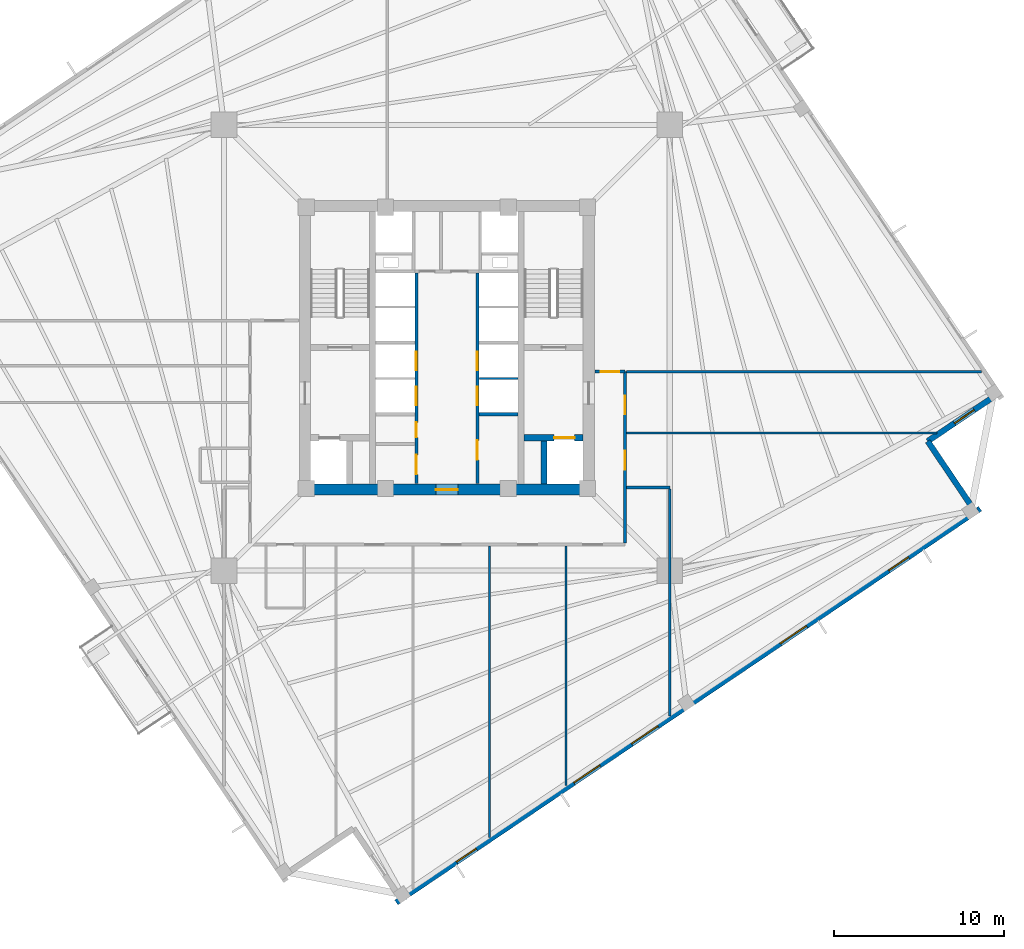
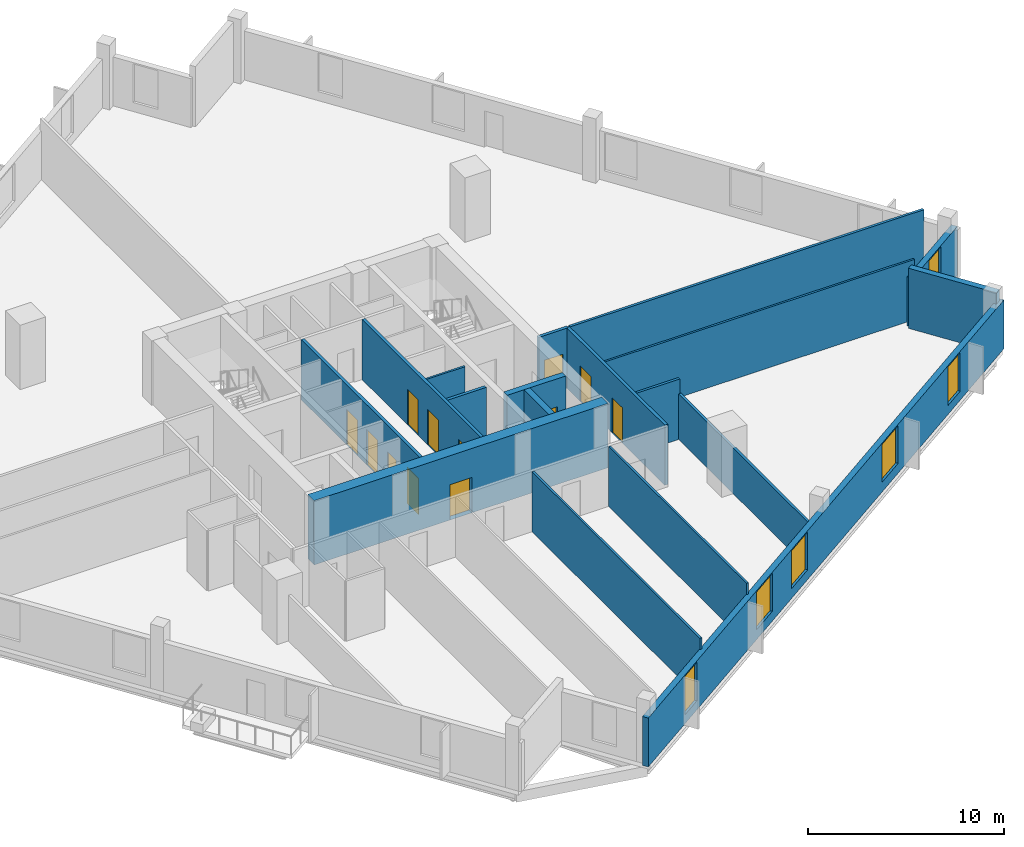
# One storey, part 4 of 9: 18 walls, 12 doors, 6 windows, 18 openings.
"""IFC4 building model written with IfcOpenShell, lengths in metres."""

from ifc_helpers import new_model, si_unit, direction, frame, frame_2d, origin, place, context, subcontext, project, spatial, rectangle, extrude, source, transform, mapped, material, layer, layer_set, type_object, element, fill, save


model = new_model("IFC4")

# Units and contexts
model_context = context("Model", 3, precision=1e-05, world=origin(), true_north=direction((0.0, 1.0)))
body_context = subcontext(model_context, "Body", "Model", "MODEL_VIEW")
ifc_project = project(units=[si_unit("LENGTHUNIT", "METRE"), si_unit("AREAUNIT", "SQUARE_METRE"), si_unit("VOLUMEUNIT", "CUBIC_METRE"), si_unit("PLANEANGLEUNIT", "RADIAN"), si_unit("MASSUNIT", "GRAM", prefix="KILO"), si_unit("THERMODYNAMICTEMPERATUREUNIT", "KELVIN")], contexts=[model_context])

# Site, building, storey
site_placement = place(None, origin())
site = spatial("IfcSite", under=ifc_project, at=site_placement, CompositionType="ELEMENT")
building_placement = place(site_placement, origin())
building = spatial("IfcBuilding", under=site, at=building_placement, Name="Kosmvard Interchange Tower", CompositionType="ELEMENT")
storey_placement = place(building_placement, frame((0.0, 0.0, 156.39990234375)))
storey = spatial("IfcBuildingStorey", under=building, at=storey_placement, Name="L37", CompositionType="ELEMENT", Elevation=156.39990234375)

# Walls
ifc_material_1 = material(Name="Acoustic gypsum partition system")
ifc_layer_1 = layer(ifc_material_1, 0.14990234375, Name="Acoustic gypsum partition system")
ifc_layer_set_1 = layer_set([ifc_layer_1], Name="Acoustic gypsum partition system")
wall_type_1 = type_object("IfcWallType", Name="Acoustic Suite & Meeting Partition 150", PredefinedType="PARTITIONING", material=ifc_layer_set_1)
wall_1_placement = place(storey_placement, frame((10.544921875, -1.39990234375, 0.0), z_axis=(0.0, 0.0, 1.0), x_axis=(1.0, 0.0, 0.0)))
element("IfcWall", 1, at=wall_1_placement, inside=storey, type_object=wall_type_1, Name="L37 Room Partition 04.1", PredefinedType="PARTITIONING", context=body_context, shape_type="SweptSolid", body=[
    extrude(rectangle(XDim=20.826171875, YDim=0.14990234375, at=frame_2d((10.4130859375, 0.0))), origin(), (0.0, 0.0, 1.0), 3.739990234375),
])
wall_2_placement = place(storey_placement, frame((10.544921875, -8.199951171875, 0.0), z_axis=(0.0, 0.0, 1.0), x_axis=(1.0, 0.0, 0.0)))
element("IfcWall", 2, at=wall_2_placement, inside=storey, type_object=wall_type_1, Name="L37 Room Partition 12.1", PredefinedType="PARTITIONING", context=body_context, shape_type="SweptSolid", body=[
    extrude(rectangle(XDim=2.5361328125, YDim=0.14990234375, at=frame_2d((1.26806640625, 0.0))), origin(), (0.0, 0.0, 1.0), 3.739990234375),
])
wall_3_placement = place(storey_placement, frame((13.0810546875, -8.27490234375, 0.0), z_axis=(0.0, 0.0, 1.0), x_axis=(0.0, -1.0, 0.0)))
element("IfcWall", 3, at=wall_3_placement, inside=storey, type_object=wall_type_1, Name="L37 Room Partition 13.1", PredefinedType="PARTITIONING", context=body_context, shape_type="SweptSolid", body=[
    extrude(rectangle(XDim=13.32861328125, YDim=0.14990234375, at=frame_2d((6.664306640625, 0.0))), origin(), (0.0, 0.0, 1.0), 2.840087890625),
])

# Wall, openings, doors
ifc_material_2 = material(Name="Fire-rated gypsum partition system")
ifc_layer_2 = layer(ifc_material_2, 0.179931640625, Name="Fire-rated gypsum partition system")
ifc_layer_set_2 = layer_set([ifc_layer_2], Name="Fire-rated gypsum partition system")
wall_type_2 = type_object("IfcWallType", Name="Corridor & Hotel Compartment Partition 180", PredefinedType="PARTITIONING", material=ifc_layer_set_2)
wall_4_placement = place(storey_placement, frame((-1.7900390625, -7.97998046875, 0.0), z_axis=(0.0, 0.0, 1.0), x_axis=(0.0, 1.0, 0.0)))
wall_4 = element("IfcWall", 4, at=wall_4_placement, inside=storey, type_object=wall_type_2, Name="L37 West Lift Bank Front Wall", PredefinedType="PARTITIONING", context=body_context, shape_type="SweptSolid", body=[
    extrude(rectangle(XDim=12.3798828125, YDim=0.179931640625, at=frame_2d((6.18994140625, 0.0))), origin(), (0.0, 0.0, 1.0), 3.739990234375),
])
opening_1_placement = place(wall_4_placement, frame((4.60009765625, 0.0, 0.0)))
opening_1 = element("IfcOpeningElement", 5, at=opening_1_placement, cuts=wall_4, Name="Opening LD-PL-M1-L37", PredefinedType="OPENING", context=body_context, shape_type="SweptSolid", body=[
    extrude(rectangle(XDim=1.10009765625, YDim=2.199951171875, at=frame_2d((0.550048828125, 1.10009765625))), frame((0.0, 0.10009765625, 0.0), z_axis=(0.0, -1.0, 0.0), x_axis=(1.0, 0.0, 0.0)), (0.0, 0.0, 1.0), 0.199951171875),
])
opening_2_placement = place(wall_4_placement, frame((6.659912109375, 0.0, 0.0)))
opening_2 = element("IfcOpeningElement", 6, at=opening_2_placement, cuts=wall_4, Name="Opening LD-PL-M2-L37", PredefinedType="OPENING", context=body_context, shape_type="SweptSolid", body=[
    extrude(rectangle(XDim=1.10009765625, YDim=2.199951171875, at=frame_2d((0.550048828125, 1.10009765625))), frame((0.0, 0.10009765625, 0.0), z_axis=(0.0, -1.0, 0.0), x_axis=(1.0, 0.0, 0.0)), (0.0, 0.0, 1.0), 0.199951171875),
])
opening_3_placement = place(wall_4_placement, frame((0.550048828125, 0.0, 0.0)))
opening_3 = element("IfcOpeningElement", 7, at=opening_3_placement, cuts=wall_4, Name="Opening L37-CD1", PredefinedType="OPENING", context=body_context, shape_type="SweptSolid", body=[
    extrude(rectangle(XDim=1.14990234375, YDim=2.25, at=frame_2d((0.574951171875, 1.125))), frame((0.0, 0.10009765625, 0.0), z_axis=(0.0, -1.0, 0.0), x_axis=(1.0, 0.0, 0.0)), (0.0, 0.0, 1.0), 0.199951171875),
])
opening_4_placement = place(wall_4_placement, frame((2.719970703125, 0.0, 0.0)))
opening_4 = element("IfcOpeningElement", 8, at=opening_4_placement, cuts=wall_4, Name="Opening L37-CD2", PredefinedType="OPENING", context=body_context, shape_type="SweptSolid", body=[
    extrude(rectangle(XDim=0.8798828125, YDim=2.10009765625, at=frame_2d((0.43994140625, 1.050048828125))), frame((0.0, 0.10009765625, 0.0), z_axis=(0.0, -1.0, 0.0), x_axis=(1.0, 0.0, 0.0)), (0.0, 0.0, 1.0), 0.199951171875),
])
ifc_material_3 = material(Name="Painted fire-rated steel leaf", Category="steel")
door_type_1 = type_object("IfcDoorType", Name="Plant & Riser Fire Door 1150x2250 EI60", OperationType="NOTDEFINED", PredefinedType="DOOR", material=ifc_material_3)
shared_shape_1 = source(origin(), body_context, "Body", "SweptSolid", [
    extrude(rectangle(XDim=1.14990234375, YDim=2.25, at=frame_2d((0.574951171875, 1.125))), frame((0.0, 0.02490234375, 0.0), z_axis=(0.0, -1.0, 0.0), x_axis=(1.0, 0.0, 0.0)), (0.0, 0.0, 1.0), 0.050048828125),
])
door_1_placement = place(opening_3_placement, origin())
door_1 = element("IfcDoor", 9, at=door_1_placement, inside=storey, type_object=door_type_1, Name="L37 Core Archive Door", OperationType="SINGLE_SWING_LEFT", OverallHeight=2.25, OverallWidth=1.14990234375, PredefinedType="DOOR", context=body_context, shape_type="MappedRepresentation", body=[
    mapped(shared_shape_1, transform((0.0, 0.0, 0.0), scale=1.0)),
])
fill(opening_3, door_1)
ifc_material_4 = material(Name="Brushed stainless steel sliding leaf", Category="steel")
door_type_2 = type_object("IfcDoorType", Name="Passenger Lift Sliding Landing Door 1100x2200 EI60", OperationType="DOUBLE_DOOR_SLIDING", PredefinedType="DOOR", material=ifc_material_4)
shared_shape_2 = source(origin(), body_context, "Body", "SweptSolid", [
    extrude(rectangle(XDim=1.10009765625, YDim=2.199951171875, at=frame_2d((0.550048828125, 1.10009765625))), frame((0.0, 0.02490234375, 0.0), z_axis=(0.0, -1.0, 0.0), x_axis=(1.0, 0.0, 0.0)), (0.0, 0.0, 1.0), 0.050048828125),
])
door_2_placement = place(opening_1_placement, frame((1.10009765625, 0.0, 0.0), z_axis=(0.0, 0.0, 1.0), x_axis=(-1.0, 0.0, 0.0)))
door_2 = element("IfcDoor", 10, at=door_2_placement, inside=storey, type_object=door_type_2, Name="Lift PL-M1 Landing Door L37", OperationType="DOUBLE_DOOR_SLIDING", OverallHeight=2.199951171875, OverallWidth=1.10009765625, PredefinedType="DOOR", context=body_context, shape_type="MappedRepresentation", body=[
    mapped(shared_shape_2, transform((0.0, 0.0, 0.0), scale=1.0)),
])
fill(opening_1, door_2)
door_3_placement = place(opening_2_placement, frame((1.10009765625, 0.0, 0.0), z_axis=(0.0, 0.0, 1.0), x_axis=(-1.0, 0.0, 0.0)))
door_3 = element("IfcDoor", 11, at=door_3_placement, inside=storey, type_object=door_type_2, Name="Lift PL-M2 Landing Door L37", OperationType="DOUBLE_DOOR_SLIDING", OverallHeight=2.199951171875, OverallWidth=1.10009765625, PredefinedType="DOOR", context=body_context, shape_type="MappedRepresentation", body=[
    mapped(shared_shape_2, transform((0.0, 0.0, 0.0), scale=1.0)),
])
fill(opening_2, door_3)
ifc_material_5 = material(Name="Painted fire-rated timber leaf", Category="wood")
door_type_3 = type_object("IfcDoorType", Name="Core Cupboard Fire Door 880x2100 EI30", OperationType="NOTDEFINED", PredefinedType="DOOR", material=ifc_material_5)
shared_shape_3 = source(origin(), body_context, "Body", "SweptSolid", [
    extrude(rectangle(XDim=0.8798828125, YDim=2.10009765625, at=frame_2d((0.43994140625, 1.050048828125))), frame((0.0, 0.02490234375, 0.0), z_axis=(0.0, -1.0, 0.0), x_axis=(1.0, 0.0, 0.0)), (0.0, 0.0, 1.0), 0.050048828125),
])
door_4_placement = place(opening_4_placement, origin())
door_4 = element("IfcDoor", 12, at=door_4_placement, inside=storey, type_object=door_type_3, Name="L37 Core Supplies Door", OperationType="SINGLE_SWING_RIGHT", OverallHeight=2.10009765625, OverallWidth=0.8798828125, PredefinedType="DOOR", context=body_context, shape_type="MappedRepresentation", body=[
    mapped(shared_shape_3, transform((0.0, 0.0, 0.0), scale=1.0)),
])
fill(opening_4, door_4)

wall_5_placement = place(storey_placement, frame((1.7900390625, -7.97998046875, 0.0), z_axis=(0.0, 0.0, 1.0), x_axis=(0.0, 1.0, 0.0)))
wall_5 = element("IfcWall", 13, at=wall_5_placement, inside=storey, type_object=wall_type_2, Name="L37 East Lift Bank Front Wall", PredefinedType="PARTITIONING", context=body_context, shape_type="SweptSolid", body=[
    extrude(rectangle(XDim=12.3798828125, YDim=0.179931640625, at=frame_2d((6.18994140625, 0.0))), origin(), (0.0, 0.0, 1.0), 3.739990234375),
])
opening_5_placement = place(wall_5_placement, frame((4.60009765625, 0.0, 0.0)))
opening_5 = element("IfcOpeningElement", 14, at=opening_5_placement, cuts=wall_5, Name="Opening LD-PL-M3-L37", PredefinedType="OPENING", context=body_context, shape_type="SweptSolid", body=[
    extrude(rectangle(XDim=1.10009765625, YDim=2.199951171875, at=frame_2d((0.550048828125, 1.10009765625))), frame((0.0, 0.10009765625, 0.0), z_axis=(0.0, -1.0, 0.0), x_axis=(1.0, 0.0, 0.0)), (0.0, 0.0, 1.0), 0.199951171875),
])
opening_6_placement = place(wall_5_placement, frame((6.659912109375, 0.0, 0.0)))
opening_6 = element("IfcOpeningElement", 15, at=opening_6_placement, cuts=wall_5, Name="Opening LD-PL-M4-L37", PredefinedType="OPENING", context=body_context, shape_type="SweptSolid", body=[
    extrude(rectangle(XDim=1.10009765625, YDim=2.199951171875, at=frame_2d((0.550048828125, 1.10009765625))), frame((0.0, 0.10009765625, 0.0), z_axis=(0.0, -1.0, 0.0), x_axis=(1.0, 0.0, 0.0)), (0.0, 0.0, 1.0), 0.199951171875),
])
opening_7_placement = place(wall_5_placement, frame((1.39990234375, 0.0, 0.0)))
opening_7 = element("IfcOpeningElement", 16, at=opening_7_placement, cuts=wall_5, Name="Opening L37-CD3", PredefinedType="OPENING", context=body_context, shape_type="SweptSolid", body=[
    extrude(rectangle(XDim=1.14990234375, YDim=2.25, at=frame_2d((0.574951171875, 1.125))), frame((0.0, 0.10009765625, 0.0), z_axis=(0.0, -1.0, 0.0), x_axis=(1.0, 0.0, 0.0)), (0.0, 0.0, 1.0), 0.199951171875),
])
door_5_placement = place(opening_7_placement, frame((1.14990234375, 0.0, 0.0), z_axis=(0.0, 0.0, 1.0), x_axis=(-1.0, 0.0, 0.0)))
door_5 = element("IfcDoor", 17, at=door_5_placement, inside=storey, type_object=door_type_1, Name="L37 Core Telecoms Door", OperationType="SINGLE_SWING_RIGHT", OverallHeight=2.25, OverallWidth=1.14990234375, PredefinedType="DOOR", context=body_context, shape_type="MappedRepresentation", body=[
    mapped(shared_shape_1, transform((0.0, 0.0, 0.0), scale=1.0)),
])
fill(opening_7, door_5)
door_6_placement = place(opening_5_placement, origin())
door_6 = element("IfcDoor", 18, at=door_6_placement, inside=storey, type_object=door_type_2, Name="Lift PL-M3 Landing Door L37", OperationType="DOUBLE_DOOR_SLIDING", OverallHeight=2.199951171875, OverallWidth=1.10009765625, PredefinedType="DOOR", context=body_context, shape_type="MappedRepresentation", body=[
    mapped(shared_shape_2, transform((0.0, 0.0, 0.0), scale=1.0)),
])
fill(opening_5, door_6)
door_7_placement = place(opening_6_placement, origin())
door_7 = element("IfcDoor", 19, at=door_7_placement, inside=storey, type_object=door_type_2, Name="Lift PL-M4 Landing Door L37", OperationType="DOUBLE_DOOR_SLIDING", OverallHeight=2.199951171875, OverallWidth=1.10009765625, PredefinedType="DOOR", context=body_context, shape_type="MappedRepresentation", body=[
    mapped(shared_shape_2, transform((0.0, 0.0, 0.0), scale=1.0)),
])
fill(opening_6, door_7)

wall_6_placement = place(storey_placement, frame((10.449951171875, -11.449951171875, 0.0), z_axis=(0.0, 0.0, 1.0), x_axis=(0.0, 1.0, 0.0)))
wall_6 = element("IfcWall", 20, at=wall_6_placement, inside=storey, type_object=wall_type_2, Name="L37 Corridor Wall CE", PredefinedType="PARTITIONING", context=body_context, shape_type="SweptSolid", body=[
    extrude(rectangle(XDim=10.050048828125, YDim=0.179931640625, at=frame_2d((5.02490234375, 0.0))), origin(), (0.0, 0.0, 1.0), 3.739990234375),
])
opening_8_placement = place(wall_6_placement, frame((4.300048828125, 0.0, 0.0)))
opening_8 = element("IfcOpeningElement", 21, at=opening_8_placement, cuts=wall_6, Name="Opening L37-D13", PredefinedType="OPENING", context=body_context, shape_type="SweptSolid", body=[
    extrude(rectangle(XDim=1.10009765625, YDim=2.199951171875, at=frame_2d((0.550048828125, 1.10009765625))), frame((0.0, 0.10009765625, 0.0), z_axis=(0.0, -1.0, 0.0), x_axis=(1.0, 0.0, 0.0)), (0.0, 0.0, 1.0), 0.199951171875),
])
opening_9_placement = place(wall_6_placement, frame((7.53564453125, 0.0, 0.0)))
opening_9 = element("IfcOpeningElement", 22, at=opening_9_placement, cuts=wall_6, Name="Opening L37-D14", PredefinedType="OPENING", context=body_context, shape_type="SweptSolid", body=[
    extrude(rectangle(XDim=1.10009765625, YDim=2.199951171875, at=frame_2d((0.550048828125, 1.10009765625))), frame((0.0, 0.10009765625, 0.0), z_axis=(0.0, -1.0, 0.0), x_axis=(1.0, 0.0, 0.0)), (0.0, 0.0, 1.0), 0.199951171875),
])
ifc_material_6 = material(Name="Engineered oak fire-rated timber", Category="wood")
door_type_4 = type_object("IfcDoorType", Name="Office Suite Entrance Door 1100x2200 FD30S", OperationType="NOTDEFINED", PredefinedType="DOOR", material=ifc_material_6)
door_8_placement = place(opening_8_placement, frame((1.10009765625, 0.0, 0.0), z_axis=(0.0, 0.0, 1.0), x_axis=(-1.0, 0.0, 0.0)))
door_8 = element("IfcDoor", 23, at=door_8_placement, inside=storey, type_object=door_type_4, Name="L37 Staff Tea Pantry Door", OperationType="SINGLE_SWING_LEFT", OverallHeight=2.199951171875, OverallWidth=1.10009765625, PredefinedType="DOOR", context=body_context, shape_type="MappedRepresentation", body=[
    mapped(shared_shape_2, transform((0.0, 0.0, 0.0), scale=1.0)),
])
fill(opening_8, door_8)
door_9_placement = place(opening_9_placement, frame((1.10009765625, 0.0, 0.0), z_axis=(0.0, 0.0, 1.0), x_axis=(-1.0, 0.0, 0.0)))
door_9 = element("IfcDoor", 24, at=door_9_placement, inside=storey, type_object=door_type_4, Name="L37 East Systems Office 7 Door", OperationType="SINGLE_SWING_RIGHT", OverallHeight=2.199951171875, OverallWidth=1.10009765625, PredefinedType="DOOR", context=body_context, shape_type="MappedRepresentation", body=[
    mapped(shared_shape_2, transform((0.0, 0.0, 0.0), scale=1.0)),
])
fill(opening_9, door_9)

# Wall, opening, door
wall_7_placement = place(storey_placement, frame((8.699951171875, -1.39990234375, 0.0), z_axis=(0.0, 0.0, 1.0), x_axis=(1.0, 0.0, 0.0)))
wall_7 = element("IfcWall", 25, at=wall_7_placement, inside=storey, type_object=wall_type_2, Name="L37 Corridor Wall CNE", PredefinedType="PARTITIONING", context=body_context, shape_type="SweptSolid", body=[
    extrude(rectangle(XDim=1.75, YDim=0.179931640625, at=frame_2d((0.875, 0.0))), origin(), (0.0, 0.0, 1.0), 3.739990234375),
])
opening_10_placement = place(wall_7_placement, frame((0.324951171875, 0.0, 0.0)))
opening_10 = element("IfcOpeningElement", 26, at=opening_10_placement, cuts=wall_7, Name="Opening L37-D05", PredefinedType="OPENING", context=body_context, shape_type="SweptSolid", body=[
    extrude(rectangle(XDim=1.10009765625, YDim=2.199951171875, at=frame_2d((0.550048828125, 1.10009765625))), frame((0.0, 0.10009765625, 0.0), z_axis=(0.0, -1.0, 0.0), x_axis=(1.0, 0.0, 0.0)), (0.0, 0.0, 1.0), 0.199951171875),
])
door_10_placement = place(opening_10_placement, origin())
door_10 = element("IfcDoor", 27, at=door_10_placement, inside=storey, type_object=door_type_4, Name="L37 Digital Engineering Library Door", OperationType="SINGLE_SWING_LEFT", OverallHeight=2.199951171875, OverallWidth=1.10009765625, PredefinedType="DOOR", context=body_context, shape_type="MappedRepresentation", body=[
    mapped(shared_shape_2, transform((0.0, 0.0, 0.0), scale=1.0)),
])
fill(opening_10, door_10)

ifc_material_7 = material(Name="Concrete C70/85", Category="concrete")
ifc_layer_3 = layer(ifc_material_7, 0.64990234375, Name="Concrete C70/85")
ifc_layer_set_3 = layer_set([ifc_layer_3], Name="Concrete C70/85")
wall_type_3 = type_object("IfcWallType", Name="Mid Core Shear Wall 650 C70/85", PredefinedType="SHEAR", material=ifc_layer_set_3)
wall_8_placement = place(storey_placement, frame((-8.64990234375, -8.324951171875, 0.0), z_axis=(0.0, 0.0, 1.0), x_axis=(1.0, 0.0, 0.0)))
wall_8 = element("IfcWall", 28, at=wall_8_placement, inside=storey, type_object=wall_type_3, Name="L37 Core Shear Wall CW-S", PredefinedType="SHEAR", context=body_context, shape_type="SweptSolid", body=[
    extrude(rectangle(XDim=17.2998046875, YDim=0.64990234375, at=frame_2d((8.64990234375, 0.0))), origin(), (0.0, 0.0, 1.0), 4.0),
])
opening_11_placement = place(wall_8_placement, frame((8.0, 0.0, 0.0)))
opening_11 = element("IfcOpeningElement", 29, at=opening_11_placement, cuts=wall_8, Name="Opening L37-LD0", PredefinedType="OPENING", context=body_context, shape_type="SweptSolid", body=[
    extrude(rectangle(XDim=1.300048828125, YDim=2.199951171875, at=frame_2d((0.64990234375, 1.10009765625))), frame((0.0, 0.3349609375, 0.0), z_axis=(0.0, -1.0, 0.0), x_axis=(1.0, 0.0, 0.0)), (0.0, 0.0, 1.0), 0.669921875),
])
door_type_5 = type_object("IfcDoorType", Name="Firefighting Lobby Door 1300x2200 EI60", OperationType="NOTDEFINED", PredefinedType="DOOR", material=ifc_material_3)
shared_shape_4 = source(origin(), body_context, "Body", "SweptSolid", [
    extrude(rectangle(XDim=1.300048828125, YDim=2.199951171875, at=frame_2d((0.64990234375, 1.10009765625))), frame((0.0, 0.02490234375, 0.0), z_axis=(0.0, -1.0, 0.0), x_axis=(1.0, 0.0, 0.0)), (0.0, 0.0, 1.0), 0.050048828125),
])
door_11_placement = place(opening_11_placement, frame((1.300048828125, 0.0, 0.0), z_axis=(0.0, 0.0, 1.0), x_axis=(-1.0, 0.0, 0.0)))
door_11 = element("IfcDoor", 30, at=door_11_placement, inside=storey, type_object=door_type_5, Name="L37 Passenger Lift Lobby South Door", OperationType="SINGLE_SWING_LEFT", OverallHeight=2.199951171875, OverallWidth=1.300048828125, PredefinedType="DOOR", context=body_context, shape_type="MappedRepresentation", body=[
    mapped(shared_shape_4, transform((0.0, 0.0, 0.0), scale=1.0)),
])
fill(opening_11, door_11)

# Wall, openings, windows
ifc_material_8 = material(Name="Precast concrete C45/55", Category="concrete")
ifc_layer_4 = layer(ifc_material_8, 0.340087890625, Name="Precast concrete C45/55")
ifc_layer_set_4 = layer_set([ifc_layer_4], Name="Precast concrete C45/55")
wall_type_4 = type_object("IfcWallType", Name="Mid Tower Precast Pier Wall 340 C45/55", PredefinedType="STANDARD", material=ifc_layer_set_4)
wall_9_placement = place(storey_placement, frame((-2.971923828125, -32.55810546875, 0.0), z_axis=(0.0, 0.0, 1.0), x_axis=(0.829036218961, 0.559194910251, 0.0)))
wall_9 = element("IfcWall", 31, at=wall_9_placement, inside=storey, type_object=wall_type_4, Name="L37 Precast Facade Wall F-S", PredefinedType="STANDARD", context=body_context, shape_type="SweptSolid", body=[
    extrude(rectangle(XDim=41.340087890625, YDim=0.340087890625, at=frame_2d((20.669921875, 0.0))), origin(), (0.0, 0.0, 1.0), 3.0400390625),
])
opening_12_placement = place(wall_9_placement, frame((4.2607421875, 0.0, 0.56005859375)))
opening_12 = element("IfcOpeningElement", 32, at=opening_12_placement, cuts=wall_9, Name="Opening L37-W01", PredefinedType="OPENING", context=body_context, shape_type="SweptSolid", body=[
    extrude(rectangle(XDim=1.39990234375, YDim=2.39990234375, at=frame_2d((0.699951171875, 1.199951171875))), frame((0.0, 0.18017578125, 0.0), z_axis=(0.0, -1.0, 0.0), x_axis=(1.0, 0.0, 0.0)), (0.0, 0.0, 1.0), 0.360107421875),
])
opening_13_placement = place(wall_9_placement, frame((12.563720703125, 0.0, 0.610107421875)))
opening_13 = element("IfcOpeningElement", 33, at=opening_13_placement, cuts=wall_9, Name="Opening L37-W02", PredefinedType="OPENING", context=body_context, shape_type="SweptSolid", body=[
    extrude(rectangle(XDim=1.85009765625, YDim=2.35009765625, at=frame_2d((0.925048828125, 1.175048828125))), frame((0.0, 0.18017578125, 0.0), z_axis=(0.0, -1.0, 0.0), x_axis=(1.0, 0.0, 0.0)), (0.0, 0.0, 1.0), 0.360107421875),
])
opening_14_placement = place(wall_9_placement, frame((16.668212890625, 0.0, 0.610107421875)))
opening_14 = element("IfcOpeningElement", 34, at=opening_14_placement, cuts=wall_9, Name="Opening L37-W03", PredefinedType="OPENING", context=body_context, shape_type="SweptSolid", body=[
    extrude(rectangle(XDim=1.85009765625, YDim=2.35009765625, at=frame_2d((0.925048828125, 1.175048828125))), frame((0.0, 0.18017578125, 0.0), z_axis=(0.0, -1.0, 0.0), x_axis=(1.0, 0.0, 0.0)), (0.0, 0.0, 1.0), 0.360107421875),
])
opening_15_placement = place(wall_9_placement, frame((27.186279296875, 0.0, 0.610107421875)))
opening_15 = element("IfcOpeningElement", 35, at=opening_15_placement, cuts=wall_9, Name="Opening L37-W04", PredefinedType="OPENING", context=body_context, shape_type="SweptSolid", body=[
    extrude(rectangle(XDim=1.85009765625, YDim=2.35009765625, at=frame_2d((0.925048828125, 1.175048828125))), frame((0.0, 0.18017578125, 0.0), z_axis=(0.0, -1.0, 0.0), x_axis=(1.0, 0.0, 0.0)), (0.0, 0.0, 1.0), 0.360107421875),
])
opening_16_placement = place(wall_9_placement, frame((34.852294921875, 0.0, 0.56005859375)))
opening_16 = element("IfcOpeningElement", 36, at=opening_16_placement, cuts=wall_9, Name="Opening L37-W05", PredefinedType="OPENING", context=body_context, shape_type="SweptSolid", body=[
    extrude(rectangle(XDim=1.39990234375, YDim=2.39990234375, at=frame_2d((0.699951171875, 1.199951171875))), frame((0.0, 0.18017578125, 0.0), z_axis=(0.0, -1.0, 0.0), x_axis=(1.0, 0.0, 0.0)), (0.0, 0.0, 1.0), 0.360107421875),
])
ifc_material_9 = material(Name="Low-E solar-control double glazing", Category="glass")
window_type_1 = type_object("IfcWindowType", Name="Notched Corner Feature Window 1400x2400", PartitioningType="SINGLE_PANEL", PredefinedType="WINDOW", material=ifc_material_9)
shared_shape_5 = source(origin(), body_context, "Body", "SweptSolid", [
    extrude(rectangle(XDim=1.39990234375, YDim=2.39990234375, at=frame_2d((0.699951171875, 1.199951171875))), frame((0.0, 0.030029296875, 0.0), z_axis=(0.0, -1.0, 0.0), x_axis=(1.0, 0.0, 0.0)), (0.0, 0.0, 1.0), 0.06005859375),
])
window_1_placement = place(opening_12_placement, origin())
window_1 = element("IfcWindow", 37, at=window_1_placement, inside=storey, type_object=window_type_1, Name="L37 Facade Punched Window 01", OverallHeight=2.39990234375, OverallWidth=1.39990234375, PartitioningType="SINGLE_PANEL", PredefinedType="WINDOW", context=body_context, shape_type="MappedRepresentation", body=[
    mapped(shared_shape_5, transform((0.0, 0.0, 0.0), scale=1.0)),
])
fill(opening_12, window_1)
window_2_placement = place(opening_16_placement, origin())
window_2 = element("IfcWindow", 38, at=window_2_placement, inside=storey, type_object=window_type_1, Name="L37 Facade Punched Window 05", OverallHeight=2.39990234375, OverallWidth=1.39990234375, PartitioningType="SINGLE_PANEL", PredefinedType="WINDOW", context=body_context, shape_type="MappedRepresentation", body=[
    mapped(shared_shape_5, transform((0.0, 0.0, 0.0), scale=1.0)),
])
fill(opening_16, window_2)
window_type_2 = type_object("IfcWindowType", Name="Zone 3 Office Punched Window 1850x2350", PartitioningType="SINGLE_PANEL", PredefinedType="WINDOW", material=ifc_material_9)
shared_shape_6 = source(origin(), body_context, "Body", "SweptSolid", [
    extrude(rectangle(XDim=1.85009765625, YDim=2.35009765625, at=frame_2d((0.925048828125, 1.175048828125))), frame((0.0, 0.030029296875, 0.0), z_axis=(0.0, -1.0, 0.0), x_axis=(1.0, 0.0, 0.0)), (0.0, 0.0, 1.0), 0.06005859375),
])
window_3_placement = place(opening_13_placement, origin())
window_3 = element("IfcWindow", 39, at=window_3_placement, inside=storey, type_object=window_type_2, Name="L37 Facade Punched Window 02", OverallHeight=2.35009765625, OverallWidth=1.85009765625, PartitioningType="SINGLE_PANEL", PredefinedType="WINDOW", context=body_context, shape_type="MappedRepresentation", body=[
    mapped(shared_shape_6, transform((0.0, 0.0, 0.0), scale=1.0)),
])
fill(opening_13, window_3)
window_4_placement = place(opening_14_placement, origin())
window_4 = element("IfcWindow", 40, at=window_4_placement, inside=storey, type_object=window_type_2, Name="L37 Facade Punched Window 03", OverallHeight=2.35009765625, OverallWidth=1.85009765625, PartitioningType="SINGLE_PANEL", PredefinedType="WINDOW", context=body_context, shape_type="MappedRepresentation", body=[
    mapped(shared_shape_6, transform((0.0, 0.0, 0.0), scale=1.0)),
])
fill(opening_14, window_4)
window_5_placement = place(opening_15_placement, origin())
window_5 = element("IfcWindow", 41, at=window_5_placement, inside=storey, type_object=window_type_2, Name="L37 Facade Punched Window 04", OverallHeight=2.35009765625, OverallWidth=1.85009765625, PartitioningType="SINGLE_PANEL", PredefinedType="WINDOW", context=body_context, shape_type="MappedRepresentation", body=[
    mapped(shared_shape_6, transform((0.0, 0.0, 0.0), scale=1.0)),
])
fill(opening_15, window_5)

# Wall
wall_10_placement = place(storey_placement, frame((31.018798828125, -9.631103515625, 0.0), z_axis=(0.0, 0.0, 1.0), x_axis=(-0.559210350234, 0.829025804298, 0.0)))
element("IfcWall", 42, at=wall_10_placement, inside=storey, type_object=wall_type_4, Name="L37 Precast Facade Wall N-SE1", PredefinedType="STANDARD", context=body_context, shape_type="SweptSolid", body=[
    extrude(rectangle(XDim=5.000244140625, YDim=0.340087890625, at=frame_2d((2.5, 0.0))), origin(), (0.0, 0.0, 1.0), 3.739990234375),
])

# Wall, opening, window
wall_11_placement = place(storey_placement, frame((28.22265625, -5.48583984375, 0.0), z_axis=(0.0, 0.0, 1.0), x_axis=(0.82905227345, 0.559171107879, 0.0)))
wall_11 = element("IfcWall", 43, at=wall_11_placement, inside=storey, type_object=wall_type_4, Name="L37 Precast Facade Wall N-SE2", PredefinedType="STANDARD", context=body_context, shape_type="SweptSolid", body=[
    extrude(rectangle(XDim=5.169921875, YDim=0.340087890625, at=frame_2d((2.5849609375, 0.0))), origin(), (0.0, 0.0, 1.0), 3.0400390625),
])
opening_17_placement = place(wall_11_placement, frame((1.885009765625, 0.0, 0.56005859375)))
opening_17 = element("IfcOpeningElement", 44, at=opening_17_placement, cuts=wall_11, Name="Opening L37-W21", PredefinedType="OPENING", context=body_context, shape_type="SweptSolid", body=[
    extrude(rectangle(XDim=1.39990234375, YDim=2.39990234375, at=frame_2d((0.699951171875, 1.199951171875))), frame((0.0, 0.18017578125, 0.0), z_axis=(0.0, -1.0, 0.0), x_axis=(1.0, 0.0, 0.0)), (0.0, 0.0, 1.0), 0.360107421875),
])
window_6_placement = place(opening_17_placement, origin())
window_6 = element("IfcWindow", 45, at=window_6_placement, inside=storey, type_object=window_type_1, Name="L37 Corner Notch Window 21", OverallHeight=2.39990234375, OverallWidth=1.39990234375, PartitioningType="SINGLE_PANEL", PredefinedType="WINDOW", context=body_context, shape_type="MappedRepresentation", body=[
    mapped(shared_shape_5, transform((0.0, 0.0, 0.0), scale=1.0)),
])
fill(opening_17, window_6)

# Walls
ifc_material_10 = material(Name="Gypsum board partition system")
ifc_layer_5 = layer(ifc_material_10, 0.1201171875, Name="Gypsum board partition system")
ifc_layer_set_5 = layer_set([ifc_layer_5], Name="Gypsum board partition system")
wall_type_5 = type_object("IfcWallType", Name="Office Cellular Partition 120", PredefinedType="PARTITIONING", material=ifc_layer_set_5)
wall_12_placement = place(storey_placement, frame((2.5, -28.740478515625, 0.0), z_axis=(0.0, 0.0, 1.0), x_axis=(0.0, 1.0, 0.0)))
element("IfcWall", 46, at=wall_12_placement, inside=storey, type_object=wall_type_5, Name="L37 Room Partition 10.1", PredefinedType="PARTITIONING", context=body_context, shape_type="SweptSolid", body=[
    extrude(rectangle(XDim=17.095458984375, YDim=0.1201171875, at=frame_2d((8.5478515625, 0.0))), origin(), (0.0, 0.0, 1.0), 3.739990234375),
])
wall_13_placement = place(storey_placement, frame((7.0, -25.705322265625, 0.0), z_axis=(0.0, 0.0, 1.0), x_axis=(0.0, 1.0, 0.0)))
element("IfcWall", 47, at=wall_13_placement, inside=storey, type_object=wall_type_5, Name="L37 Room Partition 11.1", PredefinedType="PARTITIONING", context=body_context, shape_type="SweptSolid", body=[
    extrude(rectangle(XDim=14.060302734375, YDim=0.1201171875, at=frame_2d((7.0302734375, 0.0))), origin(), (0.0, 0.0, 1.0), 3.739990234375),
])
wall_14_placement = place(storey_placement, frame((10.544921875, -5.0, 0.0), z_axis=(0.0, 0.0, 1.0), x_axis=(1.0, 0.0, 0.0)))
element("IfcWall", 48, at=wall_14_placement, inside=storey, type_object=wall_type_5, Name="L37 Room Partition 14.1", PredefinedType="PARTITIONING", context=body_context, shape_type="SweptSolid", body=[
    extrude(rectangle(XDim=18.21044921875, YDim=0.1201171875, at=frame_2d((9.105224609375, 0.0))), origin(), (0.0, 0.0, 1.0), 3.739990234375),
])
ifc_material_11 = material(Name="Concrete blockwork masonry", Category="masonry")
ifc_layer_6 = layer(ifc_material_11, 0.179931640625, Name="Concrete blockwork masonry")
ifc_layer_set_6 = layer_set([ifc_layer_6], Name="Concrete blockwork masonry")
wall_type_6 = type_object("IfcWallType", Name="Riser & Lift Bank Divider Wall 180", PredefinedType="PARTITIONING", material=ifc_layer_set_6)
wall_15_placement = place(storey_placement, frame((1.889892578125, -3.89990234375, 0.0), z_axis=(0.0, 0.0, 1.0), x_axis=(1.0, 0.0, 0.0)))
element("IfcWall", 49, at=wall_15_placement, inside=storey, type_object=wall_type_6, Name="L37 East Bank Divider BD1", PredefinedType="PARTITIONING", context=body_context, shape_type="SweptSolid", body=[
    extrude(rectangle(XDim=2.280029296875, YDim=0.179931640625, at=frame_2d((1.14013671875, 0.0))), origin(), (0.0, 0.0, 1.0), 3.739990234375),
])
ifc_material_12 = material(Name="Fire-rated gypsum shaftwall system")
ifc_layer_7 = layer(ifc_material_12, 0.1201171875, Name="Fire-rated gypsum shaftwall system")
ifc_layer_set_7 = layer_set([ifc_layer_7], Name="Fire-rated gypsum shaftwall system")
wall_type_7 = type_object("IfcWallType", Name="Shaft & Riser Fire Partition 120 EI60", PredefinedType="PARTITIONING", material=ifc_layer_set_7)
wall_16_placement = place(storey_placement, frame((1.89990234375, -1.800048828125, 0.0), z_axis=(0.0, 0.0, 1.0), x_axis=(1.0, 0.0, 0.0)))
element("IfcWall", 50, at=wall_16_placement, inside=storey, type_object=wall_type_7, Name="L37 Shaft Divider PL-M3", PredefinedType="PARTITIONING", context=body_context, shape_type="SweptSolid", body=[
    extrude(rectangle(XDim=2.260009765625, YDim=0.1201171875, at=frame_2d((1.1298828125, 0.0))), origin(), (0.0, 0.0, 1.0), 3.739990234375),
])

# Wall, opening, door
ifc_material_13 = material(Name="Concrete C60/75", Category="concrete")
ifc_layer_8 = layer(ifc_material_13, 0.360107421875, Name="Concrete C60/75")
ifc_layer_set_8 = layer_set([ifc_layer_8], Name="Concrete C60/75")
wall_type_8 = type_object("IfcWallType", Name="Stair & Lift Shaft Shear Wall 360 C60/75", PredefinedType="SHEAR", material=ifc_layer_set_8)
wall_17_placement = place(storey_placement, frame((4.5400390625, -5.280029296875, 0.0), z_axis=(0.0, 0.0, 1.0), x_axis=(1.0, 0.0, 0.0)))
wall_17 = element("IfcWall", 51, at=wall_17_placement, inside=storey, type_object=wall_type_8, Name="L37 Shaft Shear Wall SW-FF2", PredefinedType="SHEAR", context=body_context, shape_type="SweptSolid", body=[
    extrude(rectangle(XDim=3.4599609375, YDim=0.360107421875, at=frame_2d((1.72998046875, 0.0))), origin(), (0.0, 0.0, 1.0), 4.0),
])
opening_18_placement = place(wall_17_placement, frame((1.760009765625, 0.0, 0.0)))
opening_18 = element("IfcOpeningElement", 52, at=opening_18_placement, cuts=wall_17, Name="Opening LD-FF-2-L37", PredefinedType="OPENING", context=body_context, shape_type="SweptSolid", body=[
    extrude(rectangle(XDim=1.199951171875, YDim=2.25, at=frame_2d((0.60009765625, 1.125))), frame((0.0, 0.18994140625, 0.0), z_axis=(0.0, -1.0, 0.0), x_axis=(1.0, 0.0, 0.0)), (0.0, 0.0, 1.0), 0.380126953125),
])
door_type_6 = type_object("IfcDoorType", Name="Firefighting Lift Sliding Landing Door 1200x2250 EI120", OperationType="DOUBLE_DOOR_SLIDING", PredefinedType="DOOR", material=ifc_material_4)
shared_shape_7 = source(origin(), body_context, "Body", "SweptSolid", [
    extrude(rectangle(XDim=1.199951171875, YDim=2.25, at=frame_2d((0.60009765625, 1.125))), frame((0.0, 0.02490234375, 0.0), z_axis=(0.0, -1.0, 0.0), x_axis=(1.0, 0.0, 0.0)), (0.0, 0.0, 1.0), 0.050048828125),
])
door_12_placement = place(opening_18_placement, origin())
door_12 = element("IfcDoor", 53, at=door_12_placement, inside=storey, type_object=door_type_6, Name="Lift FF-2 Landing Door L37", OperationType="DOUBLE_DOOR_SLIDING", OverallHeight=2.25, OverallWidth=1.199951171875, PredefinedType="DOOR", context=body_context, shape_type="MappedRepresentation", body=[
    mapped(shared_shape_7, transform((0.0, 0.0, 0.0), scale=1.0)),
])
fill(opening_18, door_12)

# Wall
wall_18_placement = place(storey_placement, frame((5.7099609375, -8.0, 0.0), z_axis=(0.0, 0.0, 1.0), x_axis=(0.0, 1.0, 0.0)))
element("IfcWall", 54, at=wall_18_placement, inside=storey, type_object=wall_type_8, Name="L37 Shaft Shear Wall SW-SM2", PredefinedType="SHEAR", context=body_context, shape_type="SweptSolid", body=[
    extrude(rectangle(XDim=2.5400390625, YDim=0.360107421875, at=frame_2d((1.27001953125, 0.0))), origin(), (0.0, 0.0, 1.0), 4.0),
])

save(model, "model.ifc")
